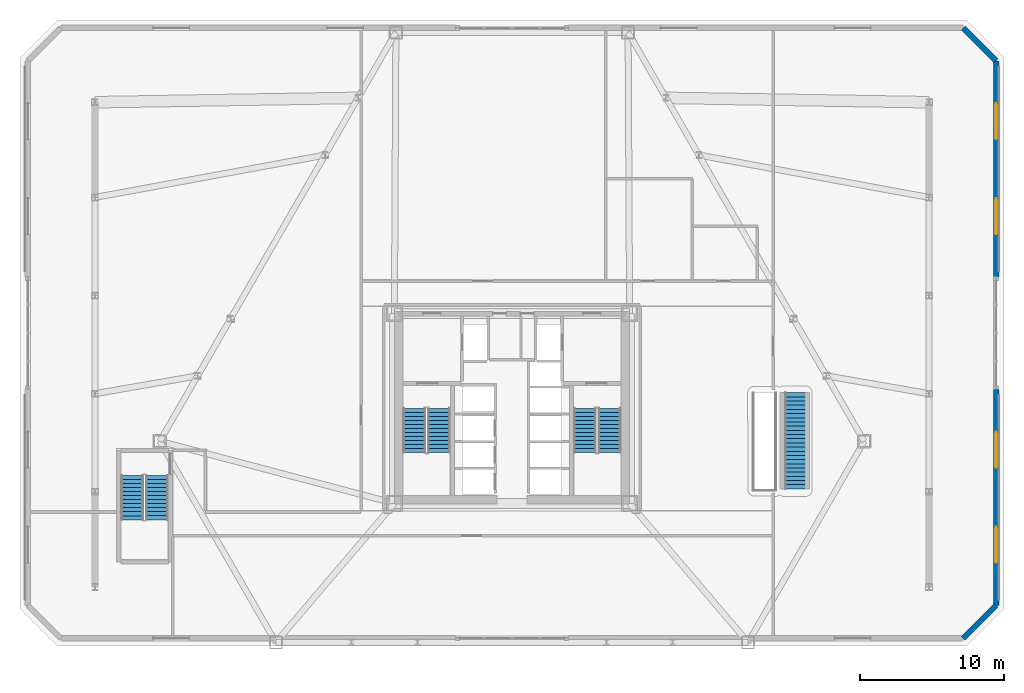
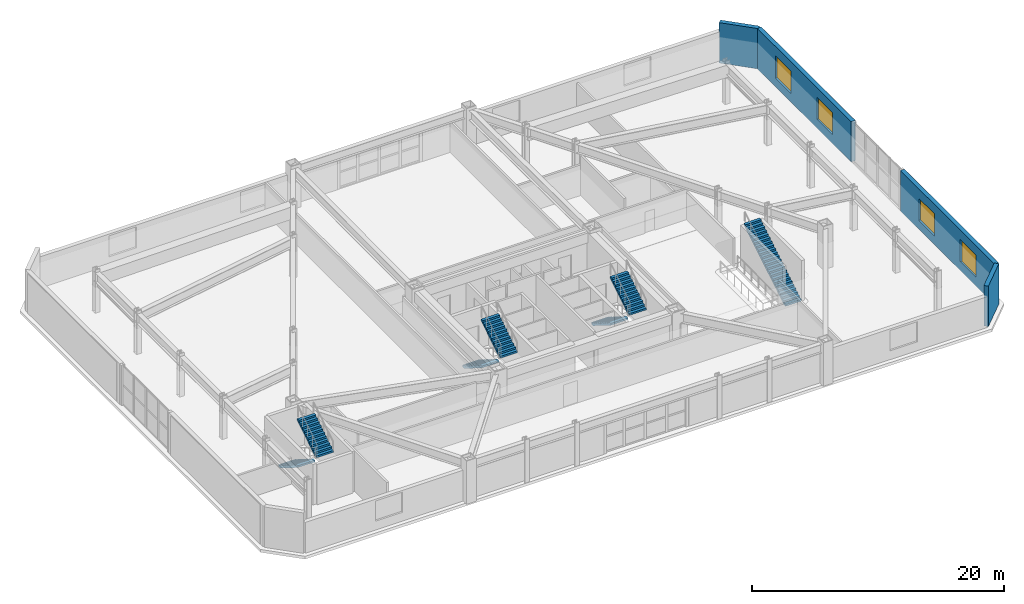
# One storey, part 16 of 22: 7 stair flights, 4 walls, 4 windows, 4 openings, 4 elements without a shape of their own.
"""IFC4 building model written with IfcOpenShell, lengths in metres."""

import ifcopenshell
import ifcopenshell.guid

model = None  # the IFC model being written
_history = None  # IfcOwnerHistory: only IFC2X3 demands one
_inside = {}  # id of a spatial element -> (the spatial element, [elements in it])
_under = {}  # id of a project, library or spatial element -> (it, [spatial elements below it])
_declared = {}  # id of a project -> (the project, [libraries it declares])
_typed = {}  # id of a type object -> (the type object, [elements of that type])
_made_of = {}  # id of a material, layer set ... -> (it, [elements and type objects made of it])


def new_model(schema):
    """Start an empty IFC model of exactly this schema.

    Asked for "IFC4X3", IfcOpenShell would pick the latest addendum, in which some entities
    have other attributes; the version numbers below select the first issue.
    IFC2X3 requires an IfcOwnerHistory on every rooted entity: one is made here for all.
    """
    global model, _history
    if schema == "IFC4X3":
        model = ifcopenshell.file(schema_version=(4, 3, 0, 0))
    else:
        model = ifcopenshell.file(schema=schema)
    _inside.clear()
    _under.clear()
    _declared.clear()
    _typed.clear()
    _made_of.clear()
    _history = None
    if model.schema == "IFC2X3":
        org = make("IfcOrganization", Name="unknown")
        user = make(
            "IfcPersonAndOrganization",
            ThePerson=make("IfcPerson", FamilyName="unknown"),
            TheOrganization=org,
        )
        app = make(
            "IfcApplication",
            ApplicationDeveloper=org,
            Version="unknown",
            ApplicationFullName="unknown",
            ApplicationIdentifier="unknown",
        )
        _history = make(
            "IfcOwnerHistory",
            OwningUser=user,
            OwningApplication=app,
            ChangeAction="ADDED",
            CreationDate=0,
        )
    return model


def make(cls, **values):
    """One entity of the class cls with the attributes given. An attribute that is None is left unset."""
    return model.create_entity(
        cls, **{name: value for name, value in values.items() if value is not None}
    )


def rooted(cls, **values):
    """An entity with a GlobalId (a new one), such as an element, a storey or a relation."""
    return make(cls, GlobalId=ifcopenshell.guid.new(), OwnerHistory=_history, **values)


def si_unit(unit_type, name, prefix=None):
    """IfcSIUnit, for example si_unit("LENGTHUNIT", "METRE", prefix="MILLI")."""
    return make("IfcSIUnit", UnitType=unit_type, Prefix=prefix, Name=name)


def assignment(units):
    """IfcUnitAssignment: the units of a project."""
    return None if units is None else make("IfcUnitAssignment", Units=units)


def point(xyz):
    """IfcCartesianPoint."""
    return None if xyz is None else make("IfcCartesianPoint", Coordinates=xyz)


def direction(xyz):
    """IfcDirection."""
    return None if xyz is None else make("IfcDirection", DirectionRatios=xyz)


def frame(location, z_axis=None, x_axis=None):
    """IfcAxis2Placement3D, a coordinate frame: its origin and axes. An axis left out is left unset."""
    return make(
        "IfcAxis2Placement3D",
        Location=point(location),
        Axis=direction(z_axis),
        RefDirection=direction(x_axis),
    )


def frame_2d(location, x_axis=None):
    """IfcAxis2Placement2D, a coordinate frame in the plane: its origin and x axis."""
    return make(
        "IfcAxis2Placement2D", Location=point(location), RefDirection=direction(x_axis)
    )


def origin():
    """The frame at (0, 0, 0) with its axes left unset."""
    return frame((0.0, 0.0, 0.0))


def place(relative_to, where):
    """IfcLocalPlacement: puts the frame where relative to a parent placement (None: the world)."""
    return make(
        "IfcLocalPlacement", PlacementRelTo=relative_to, RelativePlacement=where
    )


def context(
    kind, dimensions, precision=None, world=None, true_north=None, identifier=None
):
    """IfcGeometricRepresentationContext, for example the 3D "Model" context."""
    return make(
        "IfcGeometricRepresentationContext",
        ContextIdentifier=identifier,
        ContextType=kind,
        CoordinateSpaceDimension=dimensions,
        Precision=precision,
        WorldCoordinateSystem=world,
        TrueNorth=true_north,
    )


def subcontext(parent, identifier, kind, view, scale=None):
    """IfcGeometricRepresentationSubContext, for example "Body" below "Model"."""
    return make(
        "IfcGeometricRepresentationSubContext",
        ContextIdentifier=identifier,
        ContextType=kind,
        ParentContext=parent,
        TargetScale=scale,
        TargetView=view,
    )


def project(units=None, contexts=None):
    """IfcProject with its units and contexts."""
    return rooted(
        "IfcProject",
        Name="project",
        RepresentationContexts=contexts,
        UnitsInContext=assignment(units),
    )


def spatial(cls, under=None, at=None, **own):
    """A site, building, storey or space (cls), placed at a placement, below another one or the project."""
    s = rooted(cls, ObjectPlacement=at, **own)
    if under is not None:
        _under.setdefault(under.id(), (under, []))[1].append(s)
    return s


def polyline(points):
    """IfcPolyline through the points."""
    return make("IfcPolyline", Points=[point(p) for p in points])


def profile(cls, at=None, kind="AREA", **sizes):
    """A parametric profile (cls). Its sizes go by their IFC names, for example OverallWidth=200.0."""
    return make(cls, ProfileType=kind, Position=at, **sizes)


def rectangle(**sizes):
    """IfcRectangleProfileDef."""
    return profile("IfcRectangleProfileDef", **sizes)


def outline(outer, holes=None, kind="AREA"):
    """IfcArbitraryClosedProfileDef: a profile drawn as a closed curve; with holes, ...WithVoids."""
    if holes is None:
        return make("IfcArbitraryClosedProfileDef", ProfileType=kind, OuterCurve=outer)
    return make(
        "IfcArbitraryProfileDefWithVoids",
        ProfileType=kind,
        OuterCurve=outer,
        InnerCurves=holes,
    )


def extrude(swept, where, along, depth):
    """IfcExtrudedAreaSolid: the profile swept, set in the frame where, extruded along a direction by depth."""
    return make(
        "IfcExtrudedAreaSolid",
        SweptArea=swept,
        Position=where,
        ExtrudedDirection=direction(along),
        Depth=depth,
    )


def shape(context_of_items, identifier, shape_type, items):
    """IfcShapeRepresentation: the items that make up one representation, for example the "Body"."""
    return make(
        "IfcShapeRepresentation",
        ContextOfItems=context_of_items,
        RepresentationIdentifier=identifier,
        RepresentationType=shape_type,
        Items=items,
    )


def material(Name=None, Category=None):
    """IfcMaterial."""
    return make("IfcMaterial", Name=Name, Category=Category)


def layer(
    of_material, thickness, ventilated=None, Name=None, Category=None, Priority=None
):
    """IfcMaterialLayer: one layer of a wall or slab, of a material (None: an air gap)."""
    return make(
        "IfcMaterialLayer",
        Material=of_material,
        LayerThickness=thickness,
        IsVentilated=ventilated,
        Name=Name,
        Category=Category,
        Priority=Priority,
    )


def layer_set(layers, Name=None):
    """IfcMaterialLayerSet."""
    return make("IfcMaterialLayerSet", MaterialLayers=layers, LayerSetName=Name)


def made_of(thing, what):
    """Note that an element or type object is made of a material, layer set ...; save() writes the relation."""
    if what is not None:
        _made_of.setdefault(what.id(), (what, []))[1].append(thing)
    return thing


def type_object(cls, material=None, **own):
    """A type object (cls), such as IfcWallType, which elements share."""
    return made_of(rooted(cls, **own), material)


def element(
    cls,
    number,
    at=None,
    inside=None,
    cuts=None,
    type_object=None,
    material=None,
    context=None,
    identifier="Body",
    shape_type=None,
    held_by="IfcProductDefinitionShape",
    body=None,
    shapes=None,
    **own,
):
    """One element of the class cls, such as IfcWall. Its Tag is "e" and its number.

    at: its placement. inside: the storey or other place that contains it. cuts: it is an
    opening in that element (IfcRelVoidsElement). A single representation is given by context,
    identifier, shape_type and body (its items); several are given by shapes. held_by: the class
    of the entity that holds the representations. save() writes the other relations.
    """
    e = rooted(cls, Tag="e%d" % number, ObjectPlacement=at, **own)
    if body is not None:
        shapes = [shape(context, identifier, shape_type, body)]
    if shapes is not None:
        e.Representation = make(held_by, Representations=shapes)
    if inside is not None:
        _inside.setdefault(inside.id(), (inside, []))[1].append(e)
    if cuts is not None:
        rooted(
            "IfcRelVoidsElement", RelatingBuildingElement=cuts, RelatedOpeningElement=e
        )
    if type_object is not None:
        _typed.setdefault(type_object.id(), (type_object, []))[1].append(e)
    return made_of(e, material)


def fill(opening, filler):
    """IfcRelFillsElement: the door or window that sits in an opening."""
    return rooted(
        "IfcRelFillsElement",
        RelatingOpeningElement=opening,
        RelatedBuildingElement=filler,
    )


def aggregate(whole, parts):
    """IfcRelAggregates: a whole, such as a stair, and the parts it consists of."""
    return rooted("IfcRelAggregates", RelatingObject=whole, RelatedObjects=parts)


def save(model, path):
    """Write the relations noted so far, then the file.

    IfcRelAggregates (storeys below a building ...), IfcRelContainedInSpatialStructure (elements
    in a storey), IfcRelDefinesByType, IfcRelAssociatesMaterial and IfcRelDeclares: one each for
    every whole, place, type object, material and project.
    """
    for whole, parts in _under.values():
        aggregate(whole, parts)
    for where, things in _inside.values():
        rooted(
            "IfcRelContainedInSpatialStructure",
            RelatedElements=things,
            RelatingStructure=where,
        )
    for kind, things in _typed.values():
        rooted("IfcRelDefinesByType", RelatedObjects=things, RelatingType=kind)
    for what, things in _made_of.values():
        rooted("IfcRelAssociatesMaterial", RelatedObjects=things, RelatingMaterial=what)
    for by, libraries in _declared.values():
        rooted("IfcRelDeclares", RelatingContext=by, RelatedDefinitions=libraries)
    model.write(path)


model = new_model("IFC4")

# Units and contexts
model_context = context("Model", 3, precision=1e-05, world=origin(), true_north=direction((0.0, 1.0)))
body_context = subcontext(model_context, "Body", "Model", "MODEL_VIEW")
ifc_project = project(units=[si_unit("LENGTHUNIT", "METRE"), si_unit("AREAUNIT", "SQUARE_METRE"), si_unit("VOLUMEUNIT", "CUBIC_METRE"), si_unit("PLANEANGLEUNIT", "RADIAN"), si_unit("MASSUNIT", "GRAM", prefix="KILO")], contexts=[model_context])

# Site, building, storey
site_placement = place(None, origin())
site = spatial("IfcSite", under=ifc_project, at=site_placement, CompositionType="ELEMENT")
building_placement = place(site_placement, origin())
building = spatial("IfcBuilding", under=site, at=building_placement, Name="Oramaril Tower", CompositionType="ELEMENT")
storey_placement = place(building_placement, frame((0.0, 0.0, 14.10009765625)))
storey = spatial("IfcBuildingStorey", under=building, at=storey_placement, Name="L03", CompositionType="ELEMENT", Elevation=14.10009765625)

# Wall
ifc_material_1 = material(Name="Warm Cream Limestone", Category="masonry")
ifc_layer = layer(ifc_material_1, 0.3798828125)
ifc_layer_set = layer_set([ifc_layer], Name="WT-EXT38")
wall_type = type_object("IfcWallType", Name="WT-EXT38", PredefinedType="SOLIDWALL", material=ifc_layer_set)
wall_1_placement = place(storey_placement, frame((68.772216796875, 1.64990234375, 0.0), z_axis=(0.0, 0.0, 1.0), x_axis=(0.707106781187, 0.707106781187, 0.0)))
element("IfcWall", 1, at=wall_1_placement, inside=storey, type_object=wall_type, Name="L03 Limestone Facade Wall EW-2M", PredefinedType="SOLIDWALL", context=body_context, shape_type="SweptSolid", body=[
    extrude(rectangle(XDim=3.221435546875, YDim=0.3798828125, at=frame_2d((1.61083984375, 0.0))), origin(), (0.0, 0.0, 1.0), 3.919921875),
])

# Wall, openings, windows
wall_2_placement = place(storey_placement, frame((71.050048828125, 3.927734375, 0.0), z_axis=(0.0, 0.0, 1.0), x_axis=(0.0, 1.0, 0.0)))
wall_2 = element("IfcWall", 2, at=wall_2_placement, inside=storey, type_object=wall_type, Name="L03 Limestone Facade Wall EW-3A", PredefinedType="SOLIDWALL", context=body_context, shape_type="SweptSolid", body=[
    extrude(rectangle(XDim=14.97216796875, YDim=0.3798828125, at=frame_2d((7.486083984375, 0.0))), origin(), (0.0, 0.0, 1.0), 3.919921875),
])
opening_1_placement = place(wall_2_placement, frame((2.942138671875, 0.0, 0.85009765625)))
opening_1 = element("IfcOpeningElement", 3, at=opening_1_placement, cuts=wall_2, Name="Opening WN-11", PredefinedType="OPENING", context=body_context, shape_type="SweptSolid", body=[
    extrude(rectangle(XDim=2.5, YDim=2.14990234375, at=frame_2d((1.25, 1.074951171875))), frame((0.0, 0.18994140625, 0.0), z_axis=(0.0, -1.0, 0.0), x_axis=(1.0, 0.0, 0.0)), (0.0, 0.0, 1.0), 0.3798828125),
])
opening_2_placement = place(wall_2_placement, frame((9.530029296875, 0.0, 0.85009765625)))
opening_2 = element("IfcOpeningElement", 4, at=opening_2_placement, cuts=wall_2, Name="Opening WN-11", PredefinedType="OPENING", context=body_context, shape_type="SweptSolid", body=[
    extrude(rectangle(XDim=2.5, YDim=2.14990234375, at=frame_2d((1.25, 1.074951171875))), frame((0.0, 0.18994140625, 0.0), z_axis=(0.0, -1.0, 0.0), x_axis=(1.0, 0.0, 0.0)), (0.0, 0.0, 1.0), 0.3798828125),
])
ifc_material_2 = material(Name="Coastal Low-E Insulated Glass", Category="glass")
window_type = type_object("IfcWindowType", Name="WNT-11", PartitioningType="SINGLE_PANEL", PredefinedType="WINDOW", material=ifc_material_2)
window_1_placement = place(opening_1_placement, origin())
window_1 = element("IfcWindow", 5, at=window_1_placement, inside=storey, type_object=window_type, Name="L03 Podium Chicago Window", OverallHeight=2.14990234375, OverallWidth=2.5, PartitioningType="SINGLE_PANEL", PredefinedType="WINDOW", context=body_context, shape_type="SweptSolid", body=[
    extrude(rectangle(XDim=2.5, YDim=2.14990234375, at=frame_2d((1.25, 1.074951171875))), frame((0.0, 0.030029296875, 0.0), z_axis=(0.0, -1.0, 0.0), x_axis=(1.0, 0.0, 0.0)), (0.0, 0.0, 1.0), 0.06005859375),
])
fill(opening_1, window_1)
window_2_placement = place(opening_2_placement, origin())
window_2 = element("IfcWindow", 6, at=window_2_placement, inside=storey, type_object=window_type, Name="L03 Podium Chicago Window", OverallHeight=2.14990234375, OverallWidth=2.5, PartitioningType="SINGLE_PANEL", PredefinedType="WINDOW", context=body_context, shape_type="SweptSolid", body=[
    extrude(rectangle(XDim=2.5, YDim=2.14990234375, at=frame_2d((1.25, 1.074951171875))), frame((0.0, 0.030029296875, 0.0), z_axis=(0.0, -1.0, 0.0), x_axis=(1.0, 0.0, 0.0)), (0.0, 0.0, 1.0), 0.06005859375),
])
fill(opening_2, window_2)

wall_3_placement = place(storey_placement, frame((71.050048828125, 26.699951171875, 0.0), z_axis=(0.0, 0.0, 1.0), x_axis=(0.0, 1.0, 0.0)))
wall_3 = element("IfcWall", 7, at=wall_3_placement, inside=storey, type_object=wall_type, Name="L03 Limestone Facade Wall EW-3B", PredefinedType="SOLIDWALL", context=body_context, shape_type="SweptSolid", body=[
    extrude(rectangle(XDim=14.97216796875, YDim=0.3798828125, at=frame_2d((7.486083984375, 0.0))), origin(), (0.0, 0.0, 1.0), 3.919921875),
])
opening_3_placement = place(wall_3_placement, frame((2.942138671875, 0.0, 0.85009765625)))
opening_3 = element("IfcOpeningElement", 8, at=opening_3_placement, cuts=wall_3, Name="Opening WN-11", PredefinedType="OPENING", context=body_context, shape_type="SweptSolid", body=[
    extrude(rectangle(XDim=2.5, YDim=2.14990234375, at=frame_2d((1.25, 1.074951171875))), frame((0.0, 0.18994140625, 0.0), z_axis=(0.0, -1.0, 0.0), x_axis=(1.0, 0.0, 0.0)), (0.0, 0.0, 1.0), 0.3798828125),
])
opening_4_placement = place(wall_3_placement, frame((9.530029296875, 0.0, 0.85009765625)))
opening_4 = element("IfcOpeningElement", 9, at=opening_4_placement, cuts=wall_3, Name="Opening WN-11", PredefinedType="OPENING", context=body_context, shape_type="SweptSolid", body=[
    extrude(rectangle(XDim=2.5, YDim=2.14990234375, at=frame_2d((1.25, 1.074951171875))), frame((0.0, 0.18994140625, 0.0), z_axis=(0.0, -1.0, 0.0), x_axis=(1.0, 0.0, 0.0)), (0.0, 0.0, 1.0), 0.3798828125),
])
window_3_placement = place(opening_3_placement, origin())
window_3 = element("IfcWindow", 10, at=window_3_placement, inside=storey, type_object=window_type, Name="L03 Podium Chicago Window", OverallHeight=2.14990234375, OverallWidth=2.5, PartitioningType="SINGLE_PANEL", PredefinedType="WINDOW", context=body_context, shape_type="SweptSolid", body=[
    extrude(rectangle(XDim=2.5, YDim=2.14990234375, at=frame_2d((1.25, 1.074951171875))), frame((0.0, 0.030029296875, 0.0), z_axis=(0.0, -1.0, 0.0), x_axis=(1.0, 0.0, 0.0)), (0.0, 0.0, 1.0), 0.06005859375),
])
fill(opening_3, window_3)
window_4_placement = place(opening_4_placement, origin())
window_4 = element("IfcWindow", 11, at=window_4_placement, inside=storey, type_object=window_type, Name="L03 Podium Chicago Window", OverallHeight=2.14990234375, OverallWidth=2.5, PartitioningType="SINGLE_PANEL", PredefinedType="WINDOW", context=body_context, shape_type="SweptSolid", body=[
    extrude(rectangle(XDim=2.5, YDim=2.14990234375, at=frame_2d((1.25, 1.074951171875))), frame((0.0, 0.030029296875, 0.0), z_axis=(0.0, -1.0, 0.0), x_axis=(1.0, 0.0, 0.0)), (0.0, 0.0, 1.0), 0.06005859375),
])
fill(opening_4, window_4)

# Wall
wall_4_placement = place(storey_placement, frame((71.050048828125, 41.672119140625, 0.0), z_axis=(0.0, 0.0, 1.0), x_axis=(-0.707106781187, 0.707106781187, 0.0)))
element("IfcWall", 12, at=wall_4_placement, inside=storey, type_object=wall_type, Name="L03 Limestone Facade Wall EW-4M", PredefinedType="SOLIDWALL", context=body_context, shape_type="SweptSolid", body=[
    extrude(rectangle(XDim=3.221435546875, YDim=0.3798828125, at=frame_2d((1.61083984375, 0.0))), origin(), (0.0, 0.0, 1.0), 3.919921875),
])

# Stair, stair flights
ifc_material_3 = material(Name="Concrete C50/60", Category="concrete")
stair_type_1 = type_object("IfcStairType", Name="STT-DG-4200", PredefinedType="HALF_TURN_STAIR", material=ifc_material_3)
stair_1_placement = place(storey_placement, origin())
stair_1 = element("IfcStair", 13, at=stair_1_placement, inside=storey, type_object=stair_type_1, Name="L03 Protected PFP Exit Stair ST-1", PredefinedType="HALF_TURN_STAIR")
ifc_material_4 = material(Name="Concrete C50/60", Category="concrete")
stair_flight_type_1 = type_object("IfcStairFlightType", Name="SFT-DG-4200", PredefinedType="STRAIGHT", material=ifc_material_4)
stair_flight_1_placement = place(storey_placement, frame((30.72998046875, 17.590087890625, 0.0), z_axis=(0.0, 0.0, 1.0), x_axis=(0.0, -1.0, 0.0)))
stair_flight_1 = element("IfcStairFlight", 14, at=stair_flight_1_placement, type_object=stair_flight_type_1, Name="ST-1 flight 1", NumberOfRisers=12, NumberOfTreads=11, PredefinedType="STRAIGHT", RiserHeight=0.175, TreadLength=0.28, context=body_context, shape_type="SweptSolid", body=[
    extrude(outline(polyline([(0.0, 0.0), (0.0, 0.175048828125), (0.280029296875, 0.175048828125), (0.280029296875, 0.35009765625), (0.56005859375, 0.35009765625), (0.56005859375, 0.52490234375), (0.840087890625, 0.52490234375), (0.840087890625, 0.699951171875), (1.1201171875, 0.699951171875), (1.1201171875, 0.875), (1.39990234375, 0.875), (1.39990234375, 1.050048828125), (1.679931640625, 1.050048828125), (1.679931640625, 1.22509765625), (1.9599609375, 1.22509765625), (1.9599609375, 1.39990234375), (2.239990234375, 1.39990234375), (2.239990234375, 1.574951171875), (2.52001953125, 1.574951171875), (2.52001953125, 1.75), (2.800048828125, 1.75), (2.800048828125, 1.925048828125), (3.080078125, 1.925048828125), (3.080078125, 2.10009765625), (3.080078125, 1.748291015625), (0.28271484375, 0.0), (0.0, 0.0)])), frame((0.0, 0.780029296875, 0.0), z_axis=(0.0, -1.0, 0.0), x_axis=(1.0, 0.0, 0.0)), (0.0, 0.0, 1.0), 1.56005859375),
])
stair_flight_2_placement = place(storey_placement, frame((32.43994140625, 14.510009765625, 2.099853515625), z_axis=(0.0, 0.0, 1.0), x_axis=(0.0, 1.0, 0.0)))
stair_flight_2 = element("IfcStairFlight", 15, at=stair_flight_2_placement, type_object=stair_flight_type_1, Name="ST-1 flight 2", NumberOfRisers=12, NumberOfTreads=11, PredefinedType="STRAIGHT", RiserHeight=0.175, TreadLength=0.28, context=body_context, shape_type="SweptSolid", body=[
    extrude(outline(polyline([(0.0, 0.0), (0.0, 0.175048828125), (0.280029296875, 0.175048828125), (0.280029296875, 0.35009765625), (0.56005859375, 0.35009765625), (0.56005859375, 0.52490234375), (0.840087890625, 0.52490234375), (0.840087890625, 0.699951171875), (1.1201171875, 0.699951171875), (1.1201171875, 0.875), (1.39990234375, 0.875), (1.39990234375, 1.050048828125), (1.679931640625, 1.050048828125), (1.679931640625, 1.22509765625), (1.9599609375, 1.22509765625), (1.9599609375, 1.39990234375), (2.239990234375, 1.39990234375), (2.239990234375, 1.574951171875), (2.52001953125, 1.574951171875), (2.52001953125, 1.75), (2.800048828125, 1.75), (2.800048828125, 1.925048828125), (3.080078125, 1.925048828125), (3.080078125, 2.10009765625), (3.080078125, 1.748291015625), (0.28271484375, 0.0), (0.0, 0.0)])), frame((0.0, 0.780029296875, 0.0), z_axis=(0.0, -1.0, 0.0), x_axis=(1.0, 0.0, 0.0)), (0.0, 0.0, 1.0), 1.56005859375),
])
aggregate(stair_1, [stair_flight_1, stair_flight_2])

stair_2_placement = place(storey_placement, origin())
stair_2 = element("IfcStair", 16, at=stair_2_placement, inside=storey, type_object=stair_type_1, Name="L03 Protected PFP Exit Stair ST-2", PredefinedType="HALF_TURN_STAIR")
stair_flight_3_placement = place(storey_placement, frame((42.56005859375, 17.590087890625, 0.0), z_axis=(0.0, 0.0, 1.0), x_axis=(0.0, -1.0, 0.0)))
stair_flight_3 = element("IfcStairFlight", 17, at=stair_flight_3_placement, type_object=stair_flight_type_1, Name="ST-2 flight 1", NumberOfRisers=12, NumberOfTreads=11, PredefinedType="STRAIGHT", RiserHeight=0.175, TreadLength=0.28, context=body_context, shape_type="SweptSolid", body=[
    extrude(outline(polyline([(0.0, 0.0), (0.0, 0.175048828125), (0.280029296875, 0.175048828125), (0.280029296875, 0.35009765625), (0.56005859375, 0.35009765625), (0.56005859375, 0.52490234375), (0.840087890625, 0.52490234375), (0.840087890625, 0.699951171875), (1.1201171875, 0.699951171875), (1.1201171875, 0.875), (1.39990234375, 0.875), (1.39990234375, 1.050048828125), (1.679931640625, 1.050048828125), (1.679931640625, 1.22509765625), (1.9599609375, 1.22509765625), (1.9599609375, 1.39990234375), (2.239990234375, 1.39990234375), (2.239990234375, 1.574951171875), (2.52001953125, 1.574951171875), (2.52001953125, 1.75), (2.800048828125, 1.75), (2.800048828125, 1.925048828125), (3.080078125, 1.925048828125), (3.080078125, 2.10009765625), (3.080078125, 1.748291015625), (0.28271484375, 0.0), (0.0, 0.0)])), frame((0.0, 0.780029296875, 0.0), z_axis=(0.0, -1.0, 0.0), x_axis=(1.0, 0.0, 0.0)), (0.0, 0.0, 1.0), 1.56005859375),
])
stair_flight_4_placement = place(storey_placement, frame((44.27001953125, 14.510009765625, 2.099853515625), z_axis=(0.0, 0.0, 1.0), x_axis=(0.0, 1.0, 0.0)))
stair_flight_4 = element("IfcStairFlight", 18, at=stair_flight_4_placement, type_object=stair_flight_type_1, Name="ST-2 flight 2", NumberOfRisers=12, NumberOfTreads=11, PredefinedType="STRAIGHT", RiserHeight=0.175, TreadLength=0.28, context=body_context, shape_type="SweptSolid", body=[
    extrude(outline(polyline([(0.0, 0.0), (0.0, 0.175048828125), (0.280029296875, 0.175048828125), (0.280029296875, 0.35009765625), (0.56005859375, 0.35009765625), (0.56005859375, 0.52490234375), (0.840087890625, 0.52490234375), (0.840087890625, 0.699951171875), (1.1201171875, 0.699951171875), (1.1201171875, 0.875), (1.39990234375, 0.875), (1.39990234375, 1.050048828125), (1.679931640625, 1.050048828125), (1.679931640625, 1.22509765625), (1.9599609375, 1.22509765625), (1.9599609375, 1.39990234375), (2.239990234375, 1.39990234375), (2.239990234375, 1.574951171875), (2.52001953125, 1.574951171875), (2.52001953125, 1.75), (2.800048828125, 1.75), (2.800048828125, 1.925048828125), (3.080078125, 1.925048828125), (3.080078125, 2.10009765625), (3.080078125, 1.748291015625), (0.28271484375, 0.0), (0.0, 0.0)])), frame((0.0, 0.780029296875, 0.0), z_axis=(0.0, -1.0, 0.0), x_axis=(1.0, 0.0, 0.0)), (0.0, 0.0, 1.0), 1.56005859375),
])
aggregate(stair_2, [stair_flight_3, stair_flight_4])

stair_3_placement = place(storey_placement, origin())
stair_3 = element("IfcStair", 19, at=stair_3_placement, inside=storey, type_object=stair_type_1, Name="L03 Podium Enclosed Exit Stair ST-3", PredefinedType="HALF_TURN_STAIR")
stair_flight_5_placement = place(storey_placement, frame((11.179931640625, 12.93994140625, 0.0), z_axis=(0.0, 0.0, 1.0), x_axis=(0.0, -1.0, 0.0)))
stair_flight_5 = element("IfcStairFlight", 20, at=stair_flight_5_placement, type_object=stair_flight_type_1, Name="ST-3 flight 1", NumberOfRisers=12, NumberOfTreads=11, PredefinedType="STRAIGHT", RiserHeight=0.175, TreadLength=0.28, context=body_context, shape_type="SweptSolid", body=[
    extrude(outline(polyline([(0.0, 0.0), (0.0, 0.175048828125), (0.280029296875, 0.175048828125), (0.280029296875, 0.35009765625), (0.56005859375, 0.35009765625), (0.56005859375, 0.52490234375), (0.840087890625, 0.52490234375), (0.840087890625, 0.699951171875), (1.1201171875, 0.699951171875), (1.1201171875, 0.875), (1.39990234375, 0.875), (1.39990234375, 1.050048828125), (1.679931640625, 1.050048828125), (1.679931640625, 1.22509765625), (1.9599609375, 1.22509765625), (1.9599609375, 1.39990234375), (2.239990234375, 1.39990234375), (2.239990234375, 1.574951171875), (2.52001953125, 1.574951171875), (2.52001953125, 1.75), (2.800048828125, 1.75), (2.800048828125, 1.925048828125), (3.080078125, 1.925048828125), (3.080078125, 2.10009765625), (3.080078125, 1.748291015625), (0.28271484375, 0.0), (0.0, 0.0)])), frame((0.0, 0.780029296875, 0.0), z_axis=(0.0, -1.0, 0.0), x_axis=(1.0, 0.0, 0.0)), (0.0, 0.0, 1.0), 1.56005859375),
])
stair_flight_6_placement = place(storey_placement, frame((12.889892578125, 9.860107421875, 2.099853515625), z_axis=(0.0, 0.0, 1.0), x_axis=(0.0, 1.0, 0.0)))
stair_flight_6 = element("IfcStairFlight", 21, at=stair_flight_6_placement, type_object=stair_flight_type_1, Name="ST-3 flight 2", NumberOfRisers=12, NumberOfTreads=11, PredefinedType="STRAIGHT", RiserHeight=0.175, TreadLength=0.28, context=body_context, shape_type="SweptSolid", body=[
    extrude(outline(polyline([(0.0, 0.0), (0.0, 0.175048828125), (0.280029296875, 0.175048828125), (0.280029296875, 0.35009765625), (0.56005859375, 0.35009765625), (0.56005859375, 0.52490234375), (0.840087890625, 0.52490234375), (0.840087890625, 0.699951171875), (1.1201171875, 0.699951171875), (1.1201171875, 0.875), (1.39990234375, 0.875), (1.39990234375, 1.050048828125), (1.679931640625, 1.050048828125), (1.679931640625, 1.22509765625), (1.9599609375, 1.22509765625), (1.9599609375, 1.39990234375), (2.239990234375, 1.39990234375), (2.239990234375, 1.574951171875), (2.52001953125, 1.574951171875), (2.52001953125, 1.75), (2.800048828125, 1.75), (2.800048828125, 1.925048828125), (3.080078125, 1.925048828125), (3.080078125, 2.10009765625), (3.080078125, 1.748291015625), (0.28271484375, 0.0), (0.0, 0.0)])), frame((0.0, 0.780029296875, 0.0), z_axis=(0.0, -1.0, 0.0), x_axis=(1.0, 0.0, 0.0)), (0.0, 0.0, 1.0), 1.56005859375),
])
aggregate(stair_3, [stair_flight_5, stair_flight_6])

# Stair, stair flight
ifc_material_5 = material(Name="Concrete C40/50", Category="concrete")
stair_type_2 = type_object("IfcStairType", Name="STT-SR-ST-6", PredefinedType="STRAIGHT_RUN_STAIR", material=ifc_material_5)
stair_4_placement = place(storey_placement, origin())
stair_4 = element("IfcStair", 22, at=stair_4_placement, inside=storey, type_object=stair_type_2, Name="L03 Architectural Feature Stair ST-6", PredefinedType="STRAIGHT_RUN_STAIR")
ifc_material_6 = material(Name="Concrete C40/50", Category="concrete")
stair_flight_type_2 = type_object("IfcStairFlightType", Name="SFT-SR-ST-6", PredefinedType="STRAIGHT", material=ifc_material_6)
stair_flight_7_placement = place(storey_placement, frame((57.10009765625, 12.0, 0.0), z_axis=(0.0, 0.0, 1.0), x_axis=(0.0, 1.0, 0.0)))
stair_flight_7 = element("IfcStairFlight", 23, at=stair_flight_7_placement, type_object=stair_flight_type_2, Name="ST-6 flight 1", NumberOfRisers=24, NumberOfTreads=23, PredefinedType="STRAIGHT", RiserHeight=0.175, TreadLength=0.29, context=body_context, shape_type="SweptSolid", body=[
    extrude(outline(polyline([(0.0, 0.0), (0.0, 0.175048828125), (0.2900390625, 0.175048828125), (0.2900390625, 0.35009765625), (0.580078125, 0.35009765625), (0.580078125, 0.52490234375), (0.8701171875, 0.52490234375), (0.8701171875, 0.699951171875), (1.159912109375, 0.699951171875), (1.159912109375, 0.875), (1.449951171875, 0.875), (1.449951171875, 1.050048828125), (1.739990234375, 1.050048828125), (1.739990234375, 1.22509765625), (2.030029296875, 1.22509765625), (2.030029296875, 1.39990234375), (2.320068359375, 1.39990234375), (2.320068359375, 1.574951171875), (2.610107421875, 1.574951171875), (2.610107421875, 1.75), (2.89990234375, 1.75), (2.89990234375, 1.925048828125), (3.18994140625, 1.925048828125), (3.18994140625, 2.10009765625), (3.47998046875, 2.10009765625), (3.47998046875, 2.27490234375), (3.77001953125, 2.27490234375), (3.77001953125, 2.449951171875), (4.06005859375, 2.449951171875), (4.06005859375, 2.625), (4.35009765625, 2.625), (4.35009765625, 2.800048828125), (4.639892578125, 2.800048828125), (4.639892578125, 2.97509765625), (4.929931640625, 2.97509765625), (4.929931640625, 3.14990234375), (5.219970703125, 3.14990234375), (5.219970703125, 3.324951171875), (5.510009765625, 3.324951171875), (5.510009765625, 3.5), (5.800048828125, 3.5), (5.800048828125, 3.675048828125), (6.090087890625, 3.675048828125), (6.090087890625, 3.85009765625), (6.3798828125, 3.85009765625), (6.3798828125, 4.02490234375), (6.669921875, 4.02490234375), (6.669921875, 4.199951171875), (6.669921875, 3.81494140625), (0.34814453125, 0.0), (0.0, 0.0)])), frame((0.0, 0.72509765625, 0.0), z_axis=(0.0, -1.0, 0.0), x_axis=(1.0, 0.0, 0.0)), (0.0, 0.0, 1.0), 1.449951171875),
])
aggregate(stair_4, [stair_flight_7])

save(model, "model.ifc")
